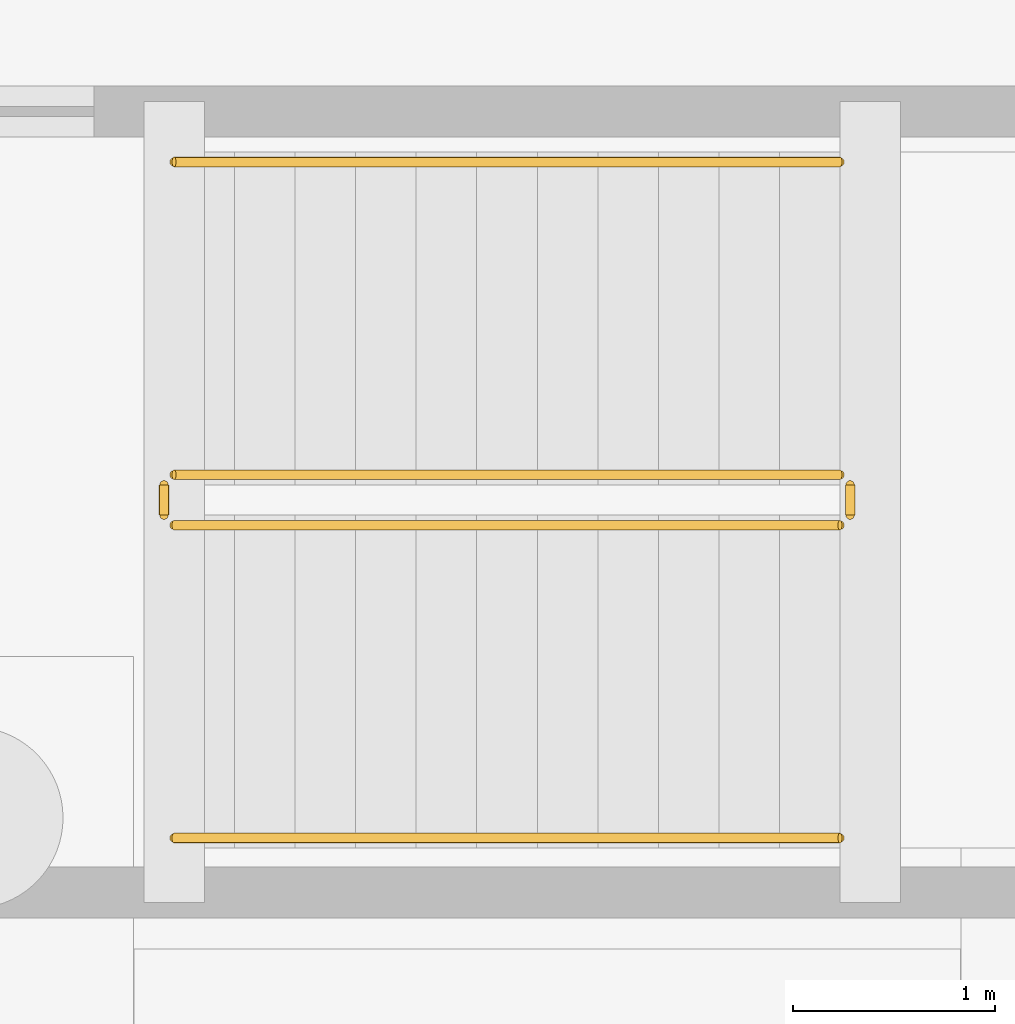
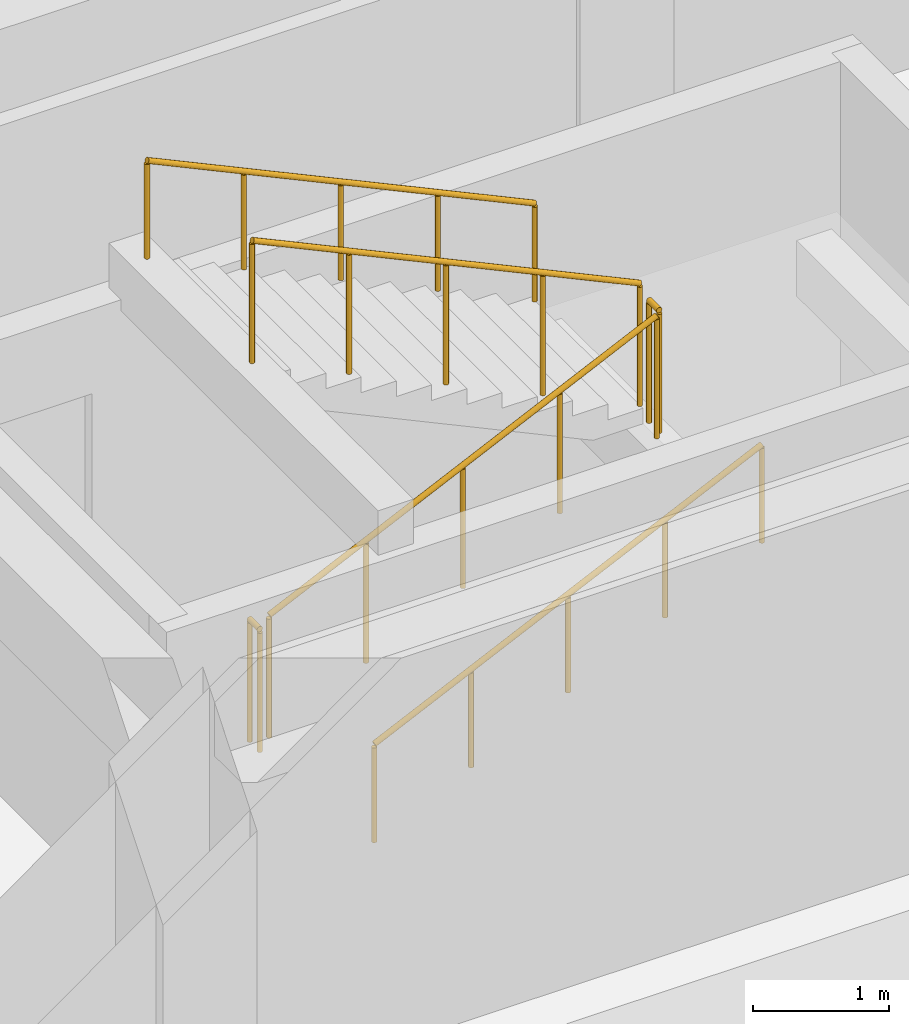
# One storey, part 66 of 70: 6 railings.
"""IFC4 building model written with IfcOpenShell, lengths in metres."""

from ifc_helpers import new_model, si_unit, direction, frame, origin, origin_2d, place, context, subcontext, project, spatial, circle, extrude, material, type_object, element, save


model = new_model("IFC4")

# Units and contexts
model_context = context("Model", 3, precision=1e-05, world=origin(), true_north=direction((0.0, 1.0)))
body_context = subcontext(model_context, "Body", "Model", "MODEL_VIEW")
ifc_project = project(units=[si_unit("LENGTHUNIT", "METRE"), si_unit("AREAUNIT", "SQUARE_METRE"), si_unit("VOLUMEUNIT", "CUBIC_METRE"), si_unit("PLANEANGLEUNIT", "RADIAN"), si_unit("MASSUNIT", "GRAM", prefix="KILO")], contexts=[model_context])

# Site, building, storey
site_placement = place(None, origin())
site = spatial("IfcSite", under=ifc_project, at=site_placement, CompositionType="ELEMENT")
building_placement = place(site_placement, origin())
building = spatial("IfcBuilding", under=site, at=building_placement, Name="Cumbredor Promenade Congress Hotel", CompositionType="ELEMENT")
storey_placement = place(building_placement, frame((0.0, 0.0, -7.56005859375)))
storey = spatial("IfcBuildingStorey", under=building, at=storey_placement, Name="B02", CompositionType="ELEMENT", Elevation=-7.56005859375)

# Railings
ifc_material = material(Name="Brushed stainless steel", Category="steel")
railing_type_1 = type_object("IfcRailingType", Name="Interior Void & Stair Guardrail GR-1100", PredefinedType="GUARDRAIL", material=ifc_material)
railing_1_placement = place(storey_placement, frame((145.14990234375, 11.199951171875, 0.14013671875)))
element("IfcRailing", 1, at=railing_1_placement, inside=storey, type_object=railing_type_1, Name="B02 ST-08 stair guard 1", PredefinedType="GUARDRAIL", context=body_context, shape_type="SweptSolid", body=[
    extrude(circle(Radius=0.02392578125, at=origin_2d()), frame((0.0, 0.0, 1.09619140625), z_axis=(0.906181427284, 0.0, 0.422889135408), x_axis=(0.0, 1.0, 0.0)), (0.0, 0.0, 1.0), 3.6416015625),
    extrude(circle(Radius=0.02099609375, at=origin_2d()), origin(), (0.0, 0.0, 1.0), 1.072021484375),
    extrude(circle(Radius=0.02099609375, at=origin_2d()), frame((0.824951171875, 0.0, 0.385009765625)), (0.0, 0.0, 1.0), 1.072021484375),
    extrude(circle(Radius=0.02099609375, at=origin_2d()), frame((1.64990234375, 0.0, 0.77001953125)), (0.0, 0.0, 1.0), 1.072021484375),
    extrude(circle(Radius=0.02099609375, at=origin_2d()), frame((2.47509765625, 0.0, 1.155029296875)), (0.0, 0.0, 1.0), 1.072021484375),
    extrude(circle(Radius=0.02099609375, at=origin_2d()), frame((3.300048828125, 0.0, 1.5400390625)), (0.0, 0.0, 1.0), 1.072021484375),
])
railing_2_placement = place(storey_placement, frame((148.5, 11.25, 1.68017578125)))
element("IfcRailing", 2, at=railing_2_placement, inside=storey, type_object=railing_type_1, Name="B02 ST-08 stair guard 2", PredefinedType="GUARDRAIL", context=body_context, shape_type="SweptSolid", body=[
    extrude(circle(Radius=0.02392578125, at=origin_2d()), frame((0.0, 0.0, 1.09619140625), z_axis=(0.0, 1.0, 0.0), x_axis=(-1.0, 0.0, 0.0)), (0.0, 0.0, 1.0), 0.14990234375),
    extrude(circle(Radius=0.02099609375, at=origin_2d()), origin(), (0.0, 0.0, 1.0), 1.072021484375),
    extrude(circle(Radius=0.02099609375, at=origin_2d()), frame((0.0, 0.14990234375, 0.0)), (0.0, 0.0, 1.0), 1.072021484375),
])
railing_3_placement = place(storey_placement, frame((148.449951171875, 11.449951171875, 1.820068359375)))
element("IfcRailing", 3, at=railing_3_placement, inside=storey, type_object=railing_type_1, Name="B02 ST-08 stair guard 3", PredefinedType="GUARDRAIL", context=body_context, shape_type="SweptSolid", body=[
    extrude(circle(Radius=0.02392578125, at=origin_2d()), frame((0.0, 0.0, 1.09619140625), z_axis=(-0.906181427284, 0.0, 0.422889135408), x_axis=(0.0, -1.0, 0.0)), (0.0, 0.0, 1.0), 3.6416015625),
    extrude(circle(Radius=0.02099609375, at=origin_2d()), origin(), (0.0, 0.0, 1.0), 1.072021484375),
    extrude(circle(Radius=0.02099609375, at=origin_2d()), frame((-0.824951171875, 0.0, 0.385009765625)), (0.0, 0.0, 1.0), 1.072021484375),
    extrude(circle(Radius=0.02099609375, at=origin_2d()), frame((-1.64990234375, 0.0, 0.77001953125)), (0.0, 0.0, 1.0), 1.072021484375),
    extrude(circle(Radius=0.02099609375, at=origin_2d()), frame((-2.47509765625, 0.0, 1.155029296875)), (0.0, 0.0, 1.0), 1.072021484375),
    extrude(circle(Radius=0.02099609375, at=origin_2d()), frame((-3.300048828125, 0.0, 1.5400390625)), (0.0, 0.0, 1.0), 1.072021484375),
])
railing_4_placement = place(storey_placement, frame((145.10009765625, 11.25, 0.0)))
element("IfcRailing", 4, at=railing_4_placement, inside=storey, type_object=railing_type_1, Name="B02 ST-08 stair guard 4", PredefinedType="GUARDRAIL", context=body_context, shape_type="SweptSolid", body=[
    extrude(circle(Radius=0.02392578125, at=origin_2d()), frame((0.0, 0.0, 1.09619140625), z_axis=(0.0, 1.0, 0.0), x_axis=(-1.0, 0.0, 0.0)), (0.0, 0.0, 1.0), 0.14990234375),
    extrude(circle(Radius=0.02099609375, at=origin_2d()), origin(), (0.0, 0.0, 1.0), 1.072021484375),
    extrude(circle(Radius=0.02099609375, at=origin_2d()), frame((0.0, 0.14990234375, 0.0)), (0.0, 0.0, 1.0), 1.072021484375),
])
railing_type_2 = type_object("IfcRailingType", Name="Stair Pitch Handrail HR-900", PredefinedType="HANDRAIL", material=ifc_material)
railing_5_placement = place(storey_placement, frame((145.14990234375, 9.64990234375, 0.14013671875)))
element("IfcRailing", 5, at=railing_5_placement, inside=storey, type_object=railing_type_2, Name="B02 ST-08 stair handrail 1", PredefinedType="HANDRAIL", context=body_context, shape_type="SweptSolid", body=[
    extrude(circle(Radius=0.02392578125, at=origin_2d()), frame((0.0, 0.0, 0.8759765625), z_axis=(0.906181427284, 0.0, 0.422889135408), x_axis=(0.0, 1.0, 0.0)), (0.0, 0.0, 1.0), 3.6416015625),
    extrude(circle(Radius=0.02099609375, at=origin_2d()), origin(), (0.0, 0.0, 1.0), 0.851806640625),
    extrude(circle(Radius=0.02099609375, at=origin_2d()), frame((0.824951171875, 0.0, 0.385009765625)), (0.0, 0.0, 1.0), 0.851806640625),
    extrude(circle(Radius=0.02099609375, at=origin_2d()), frame((1.64990234375, 0.0, 0.77001953125)), (0.0, 0.0, 1.0), 0.851806640625),
    extrude(circle(Radius=0.02099609375, at=origin_2d()), frame((2.47509765625, 0.0, 1.155029296875)), (0.0, 0.0, 1.0), 0.851806640625),
    extrude(circle(Radius=0.02099609375, at=origin_2d()), frame((3.300048828125, 0.0, 1.5400390625)), (0.0, 0.0, 1.0), 0.851806640625),
])
railing_6_placement = place(storey_placement, frame((148.449951171875, 13.0, 1.820068359375)))
element("IfcRailing", 6, at=railing_6_placement, inside=storey, type_object=railing_type_2, Name="B02 ST-08 stair handrail 2", PredefinedType="HANDRAIL", context=body_context, shape_type="SweptSolid", body=[
    extrude(circle(Radius=0.02392578125, at=origin_2d()), frame((0.0, 0.0, 0.8759765625), z_axis=(-0.906181427284, 0.0, 0.422889135408), x_axis=(0.0, -1.0, 0.0)), (0.0, 0.0, 1.0), 3.6416015625),
    extrude(circle(Radius=0.02099609375, at=origin_2d()), origin(), (0.0, 0.0, 1.0), 0.851806640625),
    extrude(circle(Radius=0.02099609375, at=origin_2d()), frame((-0.824951171875, 0.0, 0.385009765625)), (0.0, 0.0, 1.0), 0.851806640625),
    extrude(circle(Radius=0.02099609375, at=origin_2d()), frame((-1.64990234375, 0.0, 0.77001953125)), (0.0, 0.0, 1.0), 0.851806640625),
    extrude(circle(Radius=0.02099609375, at=origin_2d()), frame((-2.47509765625, 0.0, 1.155029296875)), (0.0, 0.0, 1.0), 0.851806640625),
    extrude(circle(Radius=0.02099609375, at=origin_2d()), frame((-3.300048828125, 0.0, 1.5400390625)), (0.0, 0.0, 1.0), 0.851806640625),
])

save(model, "model.ifc")
